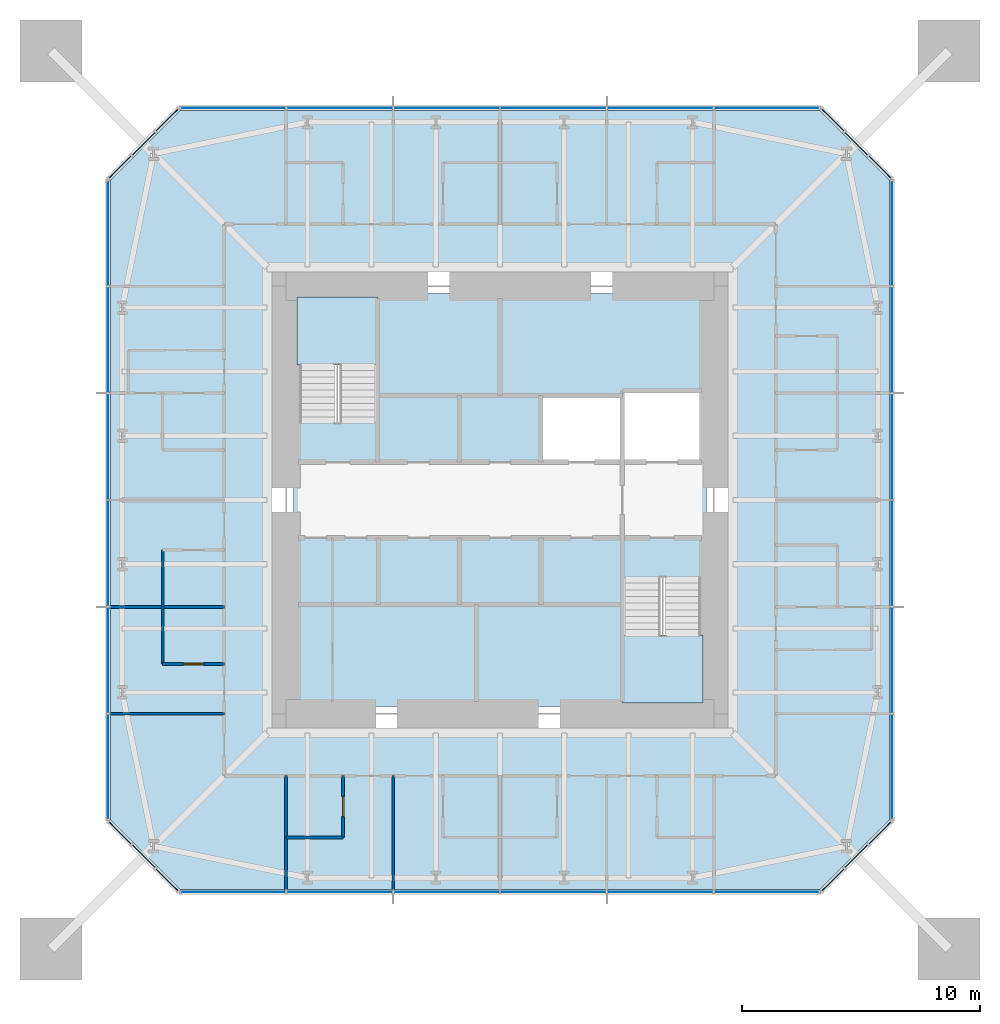
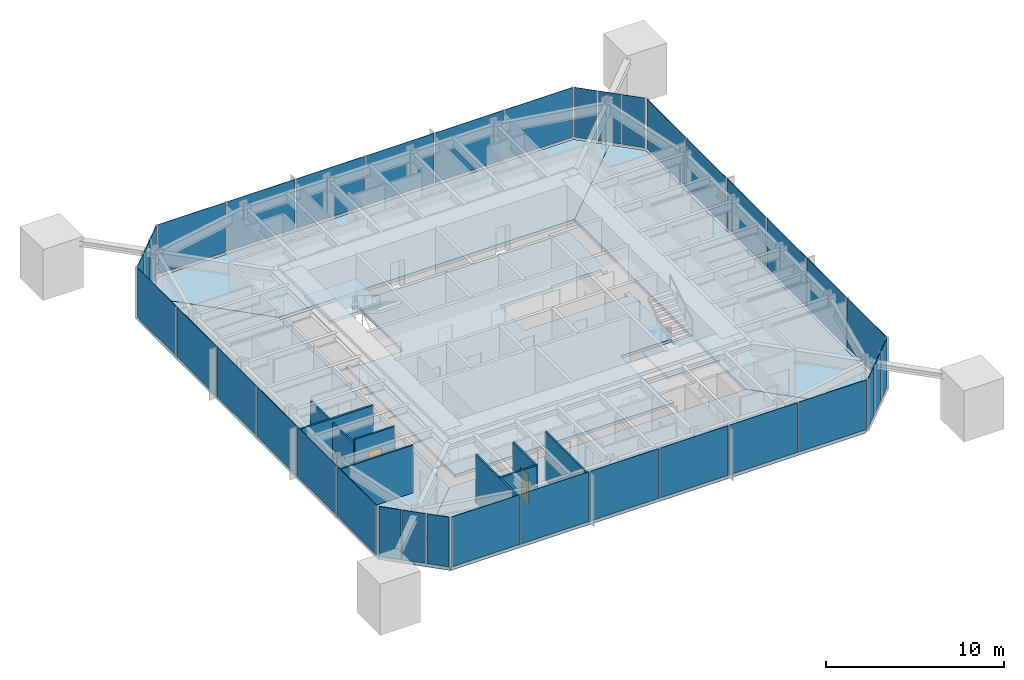
# One storey, part 5 of 10: 36 plates, 8 walls, 7 slabs, 2 doors, 2 openings, 10 elements without a shape of their own.
"""IFC4 building model written with IfcOpenShell, lengths in metres."""

from ifc_helpers import new_model, si_unit, direction, frame, frame_2d, origin, origin_2d, place, context, subcontext, project, spatial, polyline, rectangle, outline, extrude, material, layer, layer_set, constituent, constituent_set, type_object, element, fill, aggregate, save


model = new_model("IFC4")

# Units and contexts
model_context = context("Model", 3, precision=1e-05, world=origin(), true_north=direction((0.0, 1.0)))
body_context = subcontext(model_context, "Body", "Model", "MODEL_VIEW")
ifc_project = project(units=[si_unit("LENGTHUNIT", "METRE"), si_unit("AREAUNIT", "SQUARE_METRE"), si_unit("VOLUMEUNIT", "CUBIC_METRE"), si_unit("PLANEANGLEUNIT", "RADIAN"), si_unit("MASSUNIT", "GRAM", prefix="KILO")], contexts=[model_context])

# Site, building, storey
site_placement = place(None, origin())
site = spatial("IfcSite", under=ifc_project, at=site_placement, CompositionType="ELEMENT")
building_placement = place(site_placement, origin())
building = spatial("IfcBuilding", under=site, at=building_placement, Name="Iwan Alto Co-Living Towers", CompositionType="ELEMENT")
storey_placement = place(building_placement, frame((0.0, 0.0, 218.5)))
storey = spatial("IfcBuildingStorey", under=building, at=storey_placement, Name="L59", CompositionType="ELEMENT", Elevation=218.5)

# Slab
ifc_material_1 = material(Name="Concrete f'c 30 MPa", Category="concrete")
ifc_layer_1 = layer(ifc_material_1, 0.199951171875)
ifc_layer_set_1 = layer_set([ifc_layer_1], Name="CORE FLOOR SLAB 200")
slab_type_1 = type_object("IfcSlabType", Name="CORE FLOOR SLAB 200", PredefinedType="FLOOR", material=ifc_layer_set_1)
slab_1_placement = place(storey_placement, frame((0.0, 0.0, -0.199951171875)))
element("IfcSlab", 1, at=slab_1_placement, inside=storey, type_object=slab_type_1, Name="T1 core floor L59", PredefinedType="FLOOR", context=body_context, shape_type="SweptSolid", body=[
    extrude(outline(polyline([(-8.699951171875, 3.580078125), (-8.39990234375, 3.580078125), (-8.39990234375, 3.27001953125), (-5.14990234375, 3.27001953125), (-5.14990234375, 8.39990234375), (-5.4599609375, 8.39990234375), (-5.4599609375, 8.699951171875), (8.699951171875, 8.699951171875), (8.699951171875, 4.2900390625), (8.39990234375, 4.2900390625), (8.39990234375, 4.60009765625), (5.14990234375, 4.60009765625), (5.14990234375, 4.39990234375), (1.717041015625, 4.39990234375), (1.717041015625, 1.60009765625), (5.14990234375, 1.60009765625), (8.39990234375, 1.60009765625), (8.39990234375, 1.909912109375), (8.699951171875, 1.909912109375), (8.699951171875, -3.580078125), (8.39990234375, -3.580078125), (8.39990234375, -3.27001953125), (5.14990234375, -3.27001953125), (5.14990234375, -8.39990234375), (5.4599609375, -8.39990234375), (5.4599609375, -8.699951171875), (-8.699951171875, -8.699951171875), (-8.699951171875, 3.580078125)])), origin(), (0.0, 0.0, 1.0), 0.199951171875),
])

# Curtain wall, plates
ifc_material_2 = material(Name="Bronze aluminium unitised frame", Category="aluminium")
curtain_wall_type_1 = type_object("IfcCurtainWallType", Name="CURTAIN WALL CW-A", PredefinedType="NOTDEFINED", material=ifc_material_2)
curtain_wall_1_placement = place(storey_placement, origin())
curtain_wall_1 = element("IfcCurtainWall", 2, at=curtain_wall_1_placement, inside=storey, type_object=curtain_wall_type_1, Name="T1 curtain wall S L59", PredefinedType="NOTDEFINED")
ifc_material_3 = material(Name="Bronze-tinted insulating glass", Category="glass")
ifc_layer_2 = layer(ifc_material_3, 0.031982421875)
ifc_layer_set_2 = layer_set([ifc_layer_2], Name="CW-A PANEL TINTED IGU 32")
plate_type_1 = type_object("IfcPlateType", Name="CW-A PANEL TINTED IGU 32", PredefinedType="CURTAIN_PANEL", material=ifc_layer_set_2)
plate_1_placement = place(storey_placement, frame((-11.22998046875, -16.5, 0.10009765625), z_axis=(0.0, 0.0, 1.0), x_axis=(1.0, 0.0, 0.0)))
plate_1 = element("IfcPlate", 3, at=plate_1_placement, type_object=plate_type_1, Name="CW-A panel 1.1", PredefinedType="CURTAIN_PANEL", context=body_context, shape_type="SweptSolid", body=[
    extrude(rectangle(XDim=4.3798828125, YDim=0.031982421875, at=origin_2d()), origin(), (0.0, 0.0, 1.0), 3.39990234375),
])
plate_2_placement = place(storey_placement, frame((-6.75, -16.5, 0.10009765625), z_axis=(0.0, 0.0, 1.0), x_axis=(1.0, 0.0, 0.0)))
plate_2 = element("IfcPlate", 4, at=plate_2_placement, type_object=plate_type_1, Name="CW-A panel 2.1", PredefinedType="CURTAIN_PANEL", context=body_context, shape_type="SweptSolid", body=[
    extrude(rectangle(XDim=4.419921875, YDim=0.031982421875, at=origin_2d()), origin(), (0.0, 0.0, 1.0), 3.39990234375),
])
plate_3_placement = place(storey_placement, frame((-2.25, -16.5, 0.10009765625), z_axis=(0.0, 0.0, 1.0), x_axis=(1.0, 0.0, 0.0)))
plate_3 = element("IfcPlate", 5, at=plate_3_placement, type_object=plate_type_1, Name="CW-A panel 3.1", PredefinedType="CURTAIN_PANEL", context=body_context, shape_type="SweptSolid", body=[
    extrude(rectangle(XDim=4.419921875, YDim=0.031982421875, at=origin_2d()), origin(), (0.0, 0.0, 1.0), 3.39990234375),
])
plate_4_placement = place(storey_placement, frame((2.25, -16.5, 0.10009765625), z_axis=(0.0, 0.0, 1.0), x_axis=(1.0, 0.0, 0.0)))
plate_4 = element("IfcPlate", 6, at=plate_4_placement, type_object=plate_type_1, Name="CW-A panel 4.1", PredefinedType="CURTAIN_PANEL", context=body_context, shape_type="SweptSolid", body=[
    extrude(rectangle(XDim=4.419921875, YDim=0.031982421875, at=origin_2d()), origin(), (0.0, 0.0, 1.0), 3.39990234375),
])
plate_5_placement = place(storey_placement, frame((6.75, -16.5, 0.10009765625), z_axis=(0.0, 0.0, 1.0), x_axis=(1.0, 0.0, 0.0)))
plate_5 = element("IfcPlate", 7, at=plate_5_placement, type_object=plate_type_1, Name="CW-A panel 5.1", PredefinedType="CURTAIN_PANEL", context=body_context, shape_type="SweptSolid", body=[
    extrude(rectangle(XDim=4.419921875, YDim=0.031982421875, at=origin_2d()), origin(), (0.0, 0.0, 1.0), 3.39990234375),
])
plate_6_placement = place(storey_placement, frame((11.22998046875, -16.5, 0.10009765625), z_axis=(0.0, 0.0, 1.0), x_axis=(1.0, 0.0, 0.0)))
plate_6 = element("IfcPlate", 8, at=plate_6_placement, type_object=plate_type_1, Name="CW-A panel 6.1", PredefinedType="CURTAIN_PANEL", context=body_context, shape_type="SweptSolid", body=[
    extrude(rectangle(XDim=4.3798828125, YDim=0.031982421875, at=origin_2d()), origin(), (0.0, 0.0, 1.0), 3.39990234375),
])
aggregate(curtain_wall_1, [plate_1, plate_2, plate_3, plate_4, plate_5, plate_6])

curtain_wall_2_placement = place(storey_placement, origin())
curtain_wall_2 = element("IfcCurtainWall", 9, at=curtain_wall_2_placement, inside=storey, type_object=curtain_wall_type_1, Name="T1 curtain wall E L59", PredefinedType="NOTDEFINED")
plate_7_placement = place(storey_placement, frame((16.5, -11.22998046875, 0.10009765625), z_axis=(0.0, 0.0, 1.0), x_axis=(0.0, 1.0, 0.0)))
plate_7 = element("IfcPlate", 10, at=plate_7_placement, type_object=plate_type_1, Name="CW-A panel 1.1", PredefinedType="CURTAIN_PANEL", context=body_context, shape_type="SweptSolid", body=[
    extrude(rectangle(XDim=4.3798828125, YDim=0.031982421875, at=origin_2d()), origin(), (0.0, 0.0, 1.0), 3.39990234375),
])
plate_8_placement = place(storey_placement, frame((16.5, -6.75, 0.10009765625), z_axis=(0.0, 0.0, 1.0), x_axis=(0.0, 1.0, 0.0)))
plate_8 = element("IfcPlate", 11, at=plate_8_placement, type_object=plate_type_1, Name="CW-A panel 2.1", PredefinedType="CURTAIN_PANEL", context=body_context, shape_type="SweptSolid", body=[
    extrude(rectangle(XDim=4.419921875, YDim=0.031982421875, at=origin_2d()), origin(), (0.0, 0.0, 1.0), 3.39990234375),
])
plate_9_placement = place(storey_placement, frame((16.5, -2.25, 0.10009765625), z_axis=(0.0, 0.0, 1.0), x_axis=(0.0, 1.0, 0.0)))
plate_9 = element("IfcPlate", 12, at=plate_9_placement, type_object=plate_type_1, Name="CW-A panel 3.1", PredefinedType="CURTAIN_PANEL", context=body_context, shape_type="SweptSolid", body=[
    extrude(rectangle(XDim=4.419921875, YDim=0.031982421875, at=origin_2d()), origin(), (0.0, 0.0, 1.0), 3.39990234375),
])
plate_10_placement = place(storey_placement, frame((16.5, 2.25, 0.10009765625), z_axis=(0.0, 0.0, 1.0), x_axis=(0.0, 1.0, 0.0)))
plate_10 = element("IfcPlate", 13, at=plate_10_placement, type_object=plate_type_1, Name="CW-A panel 4.1", PredefinedType="CURTAIN_PANEL", context=body_context, shape_type="SweptSolid", body=[
    extrude(rectangle(XDim=4.419921875, YDim=0.031982421875, at=origin_2d()), origin(), (0.0, 0.0, 1.0), 3.39990234375),
])
plate_11_placement = place(storey_placement, frame((16.5, 6.75, 0.10009765625), z_axis=(0.0, 0.0, 1.0), x_axis=(0.0, 1.0, 0.0)))
plate_11 = element("IfcPlate", 14, at=plate_11_placement, type_object=plate_type_1, Name="CW-A panel 5.1", PredefinedType="CURTAIN_PANEL", context=body_context, shape_type="SweptSolid", body=[
    extrude(rectangle(XDim=4.419921875, YDim=0.031982421875, at=origin_2d()), origin(), (0.0, 0.0, 1.0), 3.39990234375),
])
plate_12_placement = place(storey_placement, frame((16.5, 11.22998046875, 0.10009765625), z_axis=(0.0, 0.0, 1.0), x_axis=(0.0, 1.0, 0.0)))
plate_12 = element("IfcPlate", 15, at=plate_12_placement, type_object=plate_type_1, Name="CW-A panel 6.1", PredefinedType="CURTAIN_PANEL", context=body_context, shape_type="SweptSolid", body=[
    extrude(rectangle(XDim=4.3798828125, YDim=0.031982421875, at=origin_2d()), origin(), (0.0, 0.0, 1.0), 3.39990234375),
])
aggregate(curtain_wall_2, [plate_7, plate_8, plate_9, plate_10, plate_11, plate_12])

curtain_wall_3_placement = place(storey_placement, origin())
curtain_wall_3 = element("IfcCurtainWall", 16, at=curtain_wall_3_placement, inside=storey, type_object=curtain_wall_type_1, Name="T1 curtain wall N L59", PredefinedType="NOTDEFINED")
plate_13_placement = place(storey_placement, frame((11.22998046875, 16.5, 0.10009765625), z_axis=(0.0, 0.0, 1.0), x_axis=(-1.0, 0.0, 0.0)))
plate_13 = element("IfcPlate", 17, at=plate_13_placement, type_object=plate_type_1, Name="CW-A panel 1.1", PredefinedType="CURTAIN_PANEL", context=body_context, shape_type="SweptSolid", body=[
    extrude(rectangle(XDim=4.3798828125, YDim=0.031982421875, at=origin_2d()), origin(), (0.0, 0.0, 1.0), 3.39990234375),
])
plate_14_placement = place(storey_placement, frame((6.75, 16.5, 0.10009765625), z_axis=(0.0, 0.0, 1.0), x_axis=(-1.0, 0.0, 0.0)))
plate_14 = element("IfcPlate", 18, at=plate_14_placement, type_object=plate_type_1, Name="CW-A panel 2.1", PredefinedType="CURTAIN_PANEL", context=body_context, shape_type="SweptSolid", body=[
    extrude(rectangle(XDim=4.419921875, YDim=0.031982421875, at=origin_2d()), origin(), (0.0, 0.0, 1.0), 3.39990234375),
])
plate_15_placement = place(storey_placement, frame((2.25, 16.5, 0.10009765625), z_axis=(0.0, 0.0, 1.0), x_axis=(-1.0, 0.0, 0.0)))
plate_15 = element("IfcPlate", 19, at=plate_15_placement, type_object=plate_type_1, Name="CW-A panel 3.1", PredefinedType="CURTAIN_PANEL", context=body_context, shape_type="SweptSolid", body=[
    extrude(rectangle(XDim=4.419921875, YDim=0.031982421875, at=origin_2d()), origin(), (0.0, 0.0, 1.0), 3.39990234375),
])
plate_16_placement = place(storey_placement, frame((-2.25, 16.5, 0.10009765625), z_axis=(0.0, 0.0, 1.0), x_axis=(-1.0, 0.0, 0.0)))
plate_16 = element("IfcPlate", 20, at=plate_16_placement, type_object=plate_type_1, Name="CW-A panel 4.1", PredefinedType="CURTAIN_PANEL", context=body_context, shape_type="SweptSolid", body=[
    extrude(rectangle(XDim=4.419921875, YDim=0.031982421875, at=origin_2d()), origin(), (0.0, 0.0, 1.0), 3.39990234375),
])
plate_17_placement = place(storey_placement, frame((-6.75, 16.5, 0.10009765625), z_axis=(0.0, 0.0, 1.0), x_axis=(-1.0, 0.0, 0.0)))
plate_17 = element("IfcPlate", 21, at=plate_17_placement, type_object=plate_type_1, Name="CW-A panel 5.1", PredefinedType="CURTAIN_PANEL", context=body_context, shape_type="SweptSolid", body=[
    extrude(rectangle(XDim=4.419921875, YDim=0.031982421875, at=origin_2d()), origin(), (0.0, 0.0, 1.0), 3.39990234375),
])
plate_18_placement = place(storey_placement, frame((-11.22998046875, 16.5, 0.10009765625), z_axis=(0.0, 0.0, 1.0), x_axis=(-1.0, 0.0, 0.0)))
plate_18 = element("IfcPlate", 22, at=plate_18_placement, type_object=plate_type_1, Name="CW-A panel 6.1", PredefinedType="CURTAIN_PANEL", context=body_context, shape_type="SweptSolid", body=[
    extrude(rectangle(XDim=4.3798828125, YDim=0.031982421875, at=origin_2d()), origin(), (0.0, 0.0, 1.0), 3.39990234375),
])
aggregate(curtain_wall_3, [plate_13, plate_14, plate_15, plate_16, plate_17, plate_18])

curtain_wall_4_placement = place(storey_placement, origin())
curtain_wall_4 = element("IfcCurtainWall", 23, at=curtain_wall_4_placement, inside=storey, type_object=curtain_wall_type_1, Name="T1 curtain wall W L59", PredefinedType="NOTDEFINED")
plate_19_placement = place(storey_placement, frame((-16.5, 11.22998046875, 0.10009765625), z_axis=(0.0, 0.0, 1.0), x_axis=(0.0, -1.0, 0.0)))
plate_19 = element("IfcPlate", 24, at=plate_19_placement, type_object=plate_type_1, Name="CW-A panel 1.1", PredefinedType="CURTAIN_PANEL", context=body_context, shape_type="SweptSolid", body=[
    extrude(rectangle(XDim=4.3798828125, YDim=0.031982421875, at=origin_2d()), origin(), (0.0, 0.0, 1.0), 3.39990234375),
])
plate_20_placement = place(storey_placement, frame((-16.5, 6.75, 0.10009765625), z_axis=(0.0, 0.0, 1.0), x_axis=(0.0, -1.0, 0.0)))
plate_20 = element("IfcPlate", 25, at=plate_20_placement, type_object=plate_type_1, Name="CW-A panel 2.1", PredefinedType="CURTAIN_PANEL", context=body_context, shape_type="SweptSolid", body=[
    extrude(rectangle(XDim=4.419921875, YDim=0.031982421875, at=origin_2d()), origin(), (0.0, 0.0, 1.0), 3.39990234375),
])
plate_21_placement = place(storey_placement, frame((-16.5, 2.25, 0.10009765625), z_axis=(0.0, 0.0, 1.0), x_axis=(0.0, -1.0, 0.0)))
plate_21 = element("IfcPlate", 26, at=plate_21_placement, type_object=plate_type_1, Name="CW-A panel 3.1", PredefinedType="CURTAIN_PANEL", context=body_context, shape_type="SweptSolid", body=[
    extrude(rectangle(XDim=4.419921875, YDim=0.031982421875, at=origin_2d()), origin(), (0.0, 0.0, 1.0), 3.39990234375),
])
plate_22_placement = place(storey_placement, frame((-16.5, -2.25, 0.10009765625), z_axis=(0.0, 0.0, 1.0), x_axis=(0.0, -1.0, 0.0)))
plate_22 = element("IfcPlate", 27, at=plate_22_placement, type_object=plate_type_1, Name="CW-A panel 4.1", PredefinedType="CURTAIN_PANEL", context=body_context, shape_type="SweptSolid", body=[
    extrude(rectangle(XDim=4.419921875, YDim=0.031982421875, at=origin_2d()), origin(), (0.0, 0.0, 1.0), 3.39990234375),
])
plate_23_placement = place(storey_placement, frame((-16.5, -6.75, 0.10009765625), z_axis=(0.0, 0.0, 1.0), x_axis=(0.0, -1.0, 0.0)))
plate_23 = element("IfcPlate", 28, at=plate_23_placement, type_object=plate_type_1, Name="CW-A panel 5.1", PredefinedType="CURTAIN_PANEL", context=body_context, shape_type="SweptSolid", body=[
    extrude(rectangle(XDim=4.419921875, YDim=0.031982421875, at=origin_2d()), origin(), (0.0, 0.0, 1.0), 3.39990234375),
])
plate_24_placement = place(storey_placement, frame((-16.5, -11.22998046875, 0.10009765625), z_axis=(0.0, 0.0, 1.0), x_axis=(0.0, -1.0, 0.0)))
plate_24 = element("IfcPlate", 29, at=plate_24_placement, type_object=plate_type_1, Name="CW-A panel 6.1", PredefinedType="CURTAIN_PANEL", context=body_context, shape_type="SweptSolid", body=[
    extrude(rectangle(XDim=4.3798828125, YDim=0.031982421875, at=origin_2d()), origin(), (0.0, 0.0, 1.0), 3.39990234375),
])
aggregate(curtain_wall_4, [plate_19, plate_20, plate_21, plate_22, plate_23, plate_24])

ifc_material_4 = material(Name="Bronze aluminium unitised frame", Category="aluminium")
curtain_wall_type_2 = type_object("IfcCurtainWallType", Name="CURTAIN WALL CW-B", PredefinedType="NOTDEFINED", material=ifc_material_4)
curtain_wall_5_placement = place(storey_placement, origin())
curtain_wall_5 = element("IfcCurtainWall", 30, at=curtain_wall_5_placement, inside=storey, type_object=curtain_wall_type_2, Name="T1 chamfer curtain wall SE L59", PredefinedType="NOTDEFINED")
ifc_material_5 = material(Name="Bronze-tinted insulating glass", Category="glass")
ifc_layer_3 = layer(ifc_material_5, 0.031982421875)
ifc_layer_set_3 = layer_set([ifc_layer_3], Name="CW-B PANEL TINTED IGU 32")
plate_type_2 = type_object("IfcPlateType", Name="CW-B PANEL TINTED IGU 32", PredefinedType="CURTAIN_PANEL", material=ifc_layer_set_3)
plate_25_placement = place(storey_placement, frame((14.01416015625, -15.98583984375, 0.10009765625), z_axis=(0.0, 0.0, 1.0), x_axis=(0.707106781187, 0.707106781187, 0.0)))
plate_25 = element("IfcPlate", 31, at=plate_25_placement, type_object=plate_type_2, Name="CW-B panel 1.1", PredefinedType="CURTAIN_PANEL", context=body_context, shape_type="SweptSolid", body=[
    extrude(rectangle(XDim=1.294189453125, YDim=0.031982421875, at=origin_2d()), origin(), (0.0, 0.0, 1.0), 3.39990234375),
])
plate_26_placement = place(storey_placement, frame((15.0, -15.0, 0.10009765625), z_axis=(0.0, 0.0, 1.0), x_axis=(0.707106781187, 0.707106781187, 0.0)))
plate_26 = element("IfcPlate", 32, at=plate_26_placement, type_object=plate_type_2, Name="CW-B panel 2.1", PredefinedType="CURTAIN_PANEL", context=body_context, shape_type="SweptSolid", body=[
    extrude(rectangle(XDim=1.334228515625, YDim=0.031982421875, at=origin_2d()), origin(), (0.0, 0.0, 1.0), 3.39990234375),
])
plate_27_placement = place(storey_placement, frame((15.98583984375, -14.01416015625, 0.10009765625), z_axis=(0.0, 0.0, 1.0), x_axis=(0.707106781187, 0.707106781187, 0.0)))
plate_27 = element("IfcPlate", 33, at=plate_27_placement, type_object=plate_type_2, Name="CW-B panel 3.1", PredefinedType="CURTAIN_PANEL", context=body_context, shape_type="SweptSolid", body=[
    extrude(rectangle(XDim=1.294189453125, YDim=0.031982421875, at=origin_2d()), origin(), (0.0, 0.0, 1.0), 3.39990234375),
])
aggregate(curtain_wall_5, [plate_25, plate_26, plate_27])

curtain_wall_6_placement = place(storey_placement, origin())
curtain_wall_6 = element("IfcCurtainWall", 34, at=curtain_wall_6_placement, inside=storey, type_object=curtain_wall_type_2, Name="T1 chamfer curtain wall NE L59", PredefinedType="NOTDEFINED")
plate_28_placement = place(storey_placement, frame((15.98583984375, 14.01416015625, 0.10009765625), z_axis=(0.0, 0.0, 1.0), x_axis=(-0.707106781187, 0.707106781187, 0.0)))
plate_28 = element("IfcPlate", 35, at=plate_28_placement, type_object=plate_type_2, Name="CW-B panel 1.1", PredefinedType="CURTAIN_PANEL", context=body_context, shape_type="SweptSolid", body=[
    extrude(rectangle(XDim=1.294189453125, YDim=0.031982421875, at=origin_2d()), origin(), (0.0, 0.0, 1.0), 3.39990234375),
])
plate_29_placement = place(storey_placement, frame((15.0, 15.0, 0.10009765625), z_axis=(0.0, 0.0, 1.0), x_axis=(-0.707106781187, 0.707106781187, 0.0)))
plate_29 = element("IfcPlate", 36, at=plate_29_placement, type_object=plate_type_2, Name="CW-B panel 2.1", PredefinedType="CURTAIN_PANEL", context=body_context, shape_type="SweptSolid", body=[
    extrude(rectangle(XDim=1.334228515625, YDim=0.031982421875, at=origin_2d()), origin(), (0.0, 0.0, 1.0), 3.39990234375),
])
plate_30_placement = place(storey_placement, frame((14.01416015625, 15.98583984375, 0.10009765625), z_axis=(0.0, 0.0, 1.0), x_axis=(-0.707106781187, 0.707106781187, 0.0)))
plate_30 = element("IfcPlate", 37, at=plate_30_placement, type_object=plate_type_2, Name="CW-B panel 3.1", PredefinedType="CURTAIN_PANEL", context=body_context, shape_type="SweptSolid", body=[
    extrude(rectangle(XDim=1.294189453125, YDim=0.031982421875, at=origin_2d()), origin(), (0.0, 0.0, 1.0), 3.39990234375),
])
aggregate(curtain_wall_6, [plate_28, plate_29, plate_30])

curtain_wall_7_placement = place(storey_placement, origin())
curtain_wall_7 = element("IfcCurtainWall", 38, at=curtain_wall_7_placement, inside=storey, type_object=curtain_wall_type_2, Name="T1 chamfer curtain wall NW L59", PredefinedType="NOTDEFINED")
plate_31_placement = place(storey_placement, frame((-14.01416015625, 15.98583984375, 0.10009765625), z_axis=(0.0, 0.0, 1.0), x_axis=(-0.707106781187, -0.707106781187, 0.0)))
plate_31 = element("IfcPlate", 39, at=plate_31_placement, type_object=plate_type_2, Name="CW-B panel 1.1", PredefinedType="CURTAIN_PANEL", context=body_context, shape_type="SweptSolid", body=[
    extrude(rectangle(XDim=1.294189453125, YDim=0.031982421875, at=origin_2d()), origin(), (0.0, 0.0, 1.0), 3.39990234375),
])
plate_32_placement = place(storey_placement, frame((-15.0, 15.0, 0.10009765625), z_axis=(0.0, 0.0, 1.0), x_axis=(-0.707106781187, -0.707106781187, 0.0)))
plate_32 = element("IfcPlate", 40, at=plate_32_placement, type_object=plate_type_2, Name="CW-B panel 2.1", PredefinedType="CURTAIN_PANEL", context=body_context, shape_type="SweptSolid", body=[
    extrude(rectangle(XDim=1.334228515625, YDim=0.031982421875, at=origin_2d()), origin(), (0.0, 0.0, 1.0), 3.39990234375),
])
plate_33_placement = place(storey_placement, frame((-15.98583984375, 14.01416015625, 0.10009765625), z_axis=(0.0, 0.0, 1.0), x_axis=(-0.707106781187, -0.707106781187, 0.0)))
plate_33 = element("IfcPlate", 41, at=plate_33_placement, type_object=plate_type_2, Name="CW-B panel 3.1", PredefinedType="CURTAIN_PANEL", context=body_context, shape_type="SweptSolid", body=[
    extrude(rectangle(XDim=1.294189453125, YDim=0.031982421875, at=origin_2d()), origin(), (0.0, 0.0, 1.0), 3.39990234375),
])
aggregate(curtain_wall_7, [plate_31, plate_32, plate_33])

curtain_wall_8_placement = place(storey_placement, origin())
curtain_wall_8 = element("IfcCurtainWall", 42, at=curtain_wall_8_placement, inside=storey, type_object=curtain_wall_type_2, Name="T1 chamfer curtain wall SW L59", PredefinedType="NOTDEFINED")
plate_34_placement = place(storey_placement, frame((-15.98583984375, -14.01416015625, 0.10009765625), z_axis=(0.0, 0.0, 1.0), x_axis=(0.707106781187, -0.707106781187, 0.0)))
plate_34 = element("IfcPlate", 43, at=plate_34_placement, type_object=plate_type_2, Name="CW-B panel 1.1", PredefinedType="CURTAIN_PANEL", context=body_context, shape_type="SweptSolid", body=[
    extrude(rectangle(XDim=1.294189453125, YDim=0.031982421875, at=origin_2d()), origin(), (0.0, 0.0, 1.0), 3.39990234375),
])
plate_35_placement = place(storey_placement, frame((-15.0, -15.0, 0.10009765625), z_axis=(0.0, 0.0, 1.0), x_axis=(0.707106781187, -0.707106781187, 0.0)))
plate_35 = element("IfcPlate", 44, at=plate_35_placement, type_object=plate_type_2, Name="CW-B panel 2.1", PredefinedType="CURTAIN_PANEL", context=body_context, shape_type="SweptSolid", body=[
    extrude(rectangle(XDim=1.334228515625, YDim=0.031982421875, at=origin_2d()), origin(), (0.0, 0.0, 1.0), 3.39990234375),
])
plate_36_placement = place(storey_placement, frame((-14.01416015625, -15.98583984375, 0.10009765625), z_axis=(0.0, 0.0, 1.0), x_axis=(0.707106781187, -0.707106781187, 0.0)))
plate_36 = element("IfcPlate", 45, at=plate_36_placement, type_object=plate_type_2, Name="CW-B panel 3.1", PredefinedType="CURTAIN_PANEL", context=body_context, shape_type="SweptSolid", body=[
    extrude(rectangle(XDim=1.294189453125, YDim=0.031982421875, at=origin_2d()), origin(), (0.0, 0.0, 1.0), 3.39990234375),
])
aggregate(curtain_wall_8, [plate_34, plate_35, plate_36])

# Stair, slab
ifc_material_6 = material(Name="Steel ASTM A36", Category="steel")
ifc_constituent_1 = constituent(ifc_material_6, Name="Stringers", Category="LoadBearing")
ifc_material_7 = material(Name="Concrete f'c 30 MPa", Category="concrete")
ifc_constituent_2 = constituent(ifc_material_7, Name="Tread fill", Category="Finish")
ifc_constituent_set = constituent_set(constituents=[ifc_constituent_1, ifc_constituent_2], Name="STAIR 3500 TWO-FLIGHT T1 CORE")
stair_type = type_object("IfcStairType", Name="STAIR 3500 TWO-FLIGHT T1 CORE", PredefinedType="HALF_TURN_STAIR", material=ifc_constituent_set)
stair_1_placement = place(storey_placement, origin())
stair_1 = element("IfcStair", 46, at=stair_1_placement, inside=storey, type_object=stair_type, Name="Stair T1-S1 L59 to L60", PredefinedType="HALF_TURN_STAIR")
ifc_material_8 = material(Name="Concrete f'c 30 MPa", Category="concrete")
ifc_layer_4 = layer(ifc_material_8, 0.199951171875)
ifc_layer_set_4 = layer_set([ifc_layer_4], Name="STAIR LANDING 200")
slab_type_2 = type_object("IfcSlabType", Name="STAIR LANDING 200", PredefinedType="LANDING", material=ifc_layer_set_4)
slab_2_placement = place(storey_placement, frame((0.0, 0.0, 1.550048828125)))
slab_2 = element("IfcSlab", 47, at=slab_2_placement, type_object=slab_type_2, Name="T1-S1 landing 1", PredefinedType="LANDING", context=body_context, shape_type="SweptSolid", body=[
    extrude(outline(polyline([(-8.550048828125, 5.68994140625), (-8.550048828125, 8.550048828125), (-5.14990234375, 8.550048828125), (-5.14990234375, 5.68994140625), (-8.550048828125, 5.68994140625)])), origin(), (0.0, 0.0, 1.0), 0.199951171875),
])
aggregate(stair_1, [slab_2])

stair_2_placement = place(storey_placement, origin())
stair_2 = element("IfcStair", 48, at=stair_2_placement, inside=storey, type_object=stair_type, Name="Stair T1-S2 L59 to L60", PredefinedType="HALF_TURN_STAIR")
slab_3_placement = place(storey_placement, frame((0.0, 0.0, 1.550048828125)))
slab_3 = element("IfcSlab", 49, at=slab_3_placement, type_object=slab_type_2, Name="T1-S2 landing 1", PredefinedType="LANDING", context=body_context, shape_type="SweptSolid", body=[
    extrude(outline(polyline([(5.14990234375, -5.68994140625), (5.14990234375, -8.550048828125), (8.550048828125, -8.550048828125), (8.550048828125, -5.68994140625), (5.14990234375, -5.68994140625)])), origin(), (0.0, 0.0, 1.0), 0.199951171875),
])
aggregate(stair_2, [slab_3])

# Slabs
ifc_material_9 = material(Name="Concrete f'c 30 MPa", Category="concrete")
ifc_layer_5 = layer(ifc_material_9, 0.22998046875)
ifc_layer_set_5 = layer_set([ifc_layer_5], Name="T1 FLOOR SLAB 230")
slab_type_3 = type_object("IfcSlabType", Name="T1 FLOOR SLAB 230", PredefinedType="FLOOR", material=ifc_layer_set_5)
slab_4_placement = place(storey_placement, frame((0.0, 0.0, -0.22998046875)))
element("IfcSlab", 50, at=slab_4_placement, inside=storey, type_object=slab_type_3, Name="T1 floor slab L59 S pour", PredefinedType="FLOOR", context=body_context, shape_type="SweptSolid", body=[
    extrude(outline(polyline([(13.44140625, -16.39990234375), (-13.44140625, -16.39990234375), (-14.920654296875, -14.920654296875), (-9.60009765625, -9.60009765625), (9.60009765625, -9.60009765625), (14.920654296875, -14.920654296875), (13.44140625, -16.39990234375)])), origin(), (0.0, 0.0, 1.0), 0.22998046875),
])
slab_5_placement = place(storey_placement, frame((0.0, 0.0, -0.22998046875)))
element("IfcSlab", 51, at=slab_5_placement, inside=storey, type_object=slab_type_3, Name="T1 floor slab L59 E pour", PredefinedType="FLOOR", context=body_context, shape_type="SweptSolid", body=[
    extrude(outline(polyline([(16.39990234375, 13.44140625), (16.39990234375, -13.44140625), (14.920654296875, -14.920654296875), (9.60009765625, -9.60009765625), (9.60009765625, 9.60009765625), (14.920654296875, 14.920654296875), (16.39990234375, 13.44140625)])), origin(), (0.0, 0.0, 1.0), 0.22998046875),
])
slab_6_placement = place(storey_placement, frame((0.0, 0.0, -0.22998046875)))
element("IfcSlab", 52, at=slab_6_placement, inside=storey, type_object=slab_type_3, Name="T1 floor slab L59 N pour", PredefinedType="FLOOR", context=body_context, shape_type="SweptSolid", body=[
    extrude(outline(polyline([(-13.44140625, 16.39990234375), (13.44140625, 16.39990234375), (14.920654296875, 14.920654296875), (9.60009765625, 9.60009765625), (-9.60009765625, 9.60009765625), (-14.920654296875, 14.920654296875), (-13.44140625, 16.39990234375)])), origin(), (0.0, 0.0, 1.0), 0.22998046875),
])
slab_7_placement = place(storey_placement, frame((0.0, 0.0, -0.22998046875)))
element("IfcSlab", 53, at=slab_7_placement, inside=storey, type_object=slab_type_3, Name="T1 floor slab L59 W pour", PredefinedType="FLOOR", context=body_context, shape_type="SweptSolid", body=[
    extrude(outline(polyline([(-16.39990234375, 13.44140625), (-14.920654296875, 14.920654296875), (-9.60009765625, 9.60009765625), (-9.60009765625, -9.60009765625), (-14.920654296875, -14.920654296875), (-16.39990234375, -13.44140625), (-16.39990234375, 13.44140625)])), origin(), (0.0, 0.0, 1.0), 0.22998046875),
])

# Walls
ifc_material_10 = material(Name="Gypsum board")
ifc_layer_6 = layer(ifc_material_10, 0.012451171875, Name="Board", Category="Finish")
ifc_material_11 = material(Name="Steel ASTM A1003 ST33H cold-formed studs", Category="steel")
ifc_layer_7 = layer(ifc_material_11, 0.074951171875, Name="Studs", Category="Framing")
ifc_layer_8 = layer(ifc_material_10, 0.012451171875, Name="Board", Category="Finish")
ifc_layer_set_6 = layer_set([ifc_layer_6, ifc_layer_7, ifc_layer_8], Name="PARTITION 100")
wall_type_1 = type_object("IfcWallType", Name="PARTITION 100", PredefinedType="PARTITIONING", material=ifc_layer_set_6)
for number, where, z_axis, x_axis, name in (
    (54, (-16.43994140625, -9.0, 0.0), (0.0, 0.0, 1.0), (1.0, 0.0, 0.0), "Partition L59"),
    (55, (-4.5, -16.43994140625, 0.0), (0.0, 0.0, 1.0), (0.0, 1.0, 0.0), "Partition L59"),
):
    element("IfcWall", number, at=place(storey_placement, frame(where, z_axis=z_axis, x_axis=x_axis)), inside=storey, type_object=wall_type_1, Name=name, PredefinedType="PARTITIONING", context=body_context, shape_type="SweptSolid", body=[
        extrude(rectangle(XDim=4.83984375, YDim=0.10009765625, at=frame_2d((2.419921875, 0.0))), origin(), (0.0, 0.0, 1.0), 3.27001953125),
    ])
wall_1_placement = place(storey_placement, frame((-14.199951171875, -6.89990234375, 0.0), z_axis=(0.0, 0.0, 1.0), x_axis=(0.0, 1.0, 0.0)))
element("IfcWall", 56, at=wall_1_placement, inside=storey, type_object=wall_type_1, Name="Partition L59", PredefinedType="PARTITIONING", context=body_context, shape_type="SweptSolid", body=[
    extrude(rectangle(XDim=4.7998046875, YDim=0.10009765625, at=frame_2d((2.39990234375, 0.0))), origin(), (0.0, 0.0, 1.0), 3.0),
])
ifc_material_12 = material(Name="Cement board")
ifc_layer_9 = layer(ifc_material_12, 0.012451171875, Name="Board", Category="Finish")
ifc_layer_10 = layer(ifc_material_11, 0.094970703125, Name="Studs", Category="Framing")
ifc_layer_11 = layer(ifc_material_12, 0.012451171875, Name="Board", Category="Finish")
ifc_layer_set_7 = layer_set([ifc_layer_9, ifc_layer_10, ifc_layer_11], Name="WET AREA PARTITION 120")
wall_type_2 = type_object("IfcWallType", Name="WET AREA PARTITION 120", PredefinedType="PARTITIONING", material=ifc_layer_set_7)
wall_2_placement = place(storey_placement, frame((-9.0, -14.199951171875, 0.0), z_axis=(0.0, 0.0, 1.0), x_axis=(1.0, 0.0, 0.0)))
element("IfcWall", 57, at=wall_2_placement, inside=storey, type_object=wall_type_2, Name="Partition L59", PredefinedType="PARTITIONING", context=body_context, shape_type="SweptSolid", body=[
    extrude(rectangle(XDim=2.39990234375, YDim=0.1201171875, at=frame_2d((1.199951171875, 0.0))), origin(), (0.0, 0.0, 1.0), 3.27001953125),
])

# Wall, opening, door
wall_3_placement = place(storey_placement, frame((-14.199951171875, -6.89990234375, 0.0), z_axis=(0.0, 0.0, 1.0), x_axis=(1.0, 0.0, 0.0)))
wall_3 = element("IfcWall", 58, at=wall_3_placement, inside=storey, type_object=wall_type_2, Name="Partition L59", PredefinedType="PARTITIONING", context=body_context, shape_type="SweptSolid", body=[
    extrude(rectangle(XDim=2.599853515625, YDim=0.1201171875, at=frame_2d((1.2998046875, 0.0))), origin(), (0.0, 0.0, 1.0), 3.27001953125),
])
opening_1_placement = place(wall_3_placement, frame((0.875, 0.0, 0.0)))
opening_1 = element("IfcOpeningElement", 59, at=opening_1_placement, cuts=wall_3, Name="Opening D2", PredefinedType="OPENING", context=body_context, shape_type="SweptSolid", body=[
    extrude(rectangle(XDim=0.85009765625, YDim=2.10009765625, at=frame_2d((0.425048828125, 1.050048828125))), frame((0.0, 0.070068359375, 0.0), z_axis=(0.0, -1.0, 0.0), x_axis=(1.0, 0.0, 0.0)), (0.0, 0.0, 1.0), 0.14013671875),
])
ifc_material_13 = material(Name="Timber leaf in steel frame", Category="steel")
door_type = type_object("IfcDoorType", Name="ROOM DOOR 850X2100", OperationType="SINGLE_SWING_LEFT", PredefinedType="DOOR", material=ifc_material_13)
door_1_placement = place(opening_1_placement, frame((0.85009765625, 0.0, 0.0), z_axis=(0.0, 0.0, 1.0), x_axis=(-1.0, 0.0, 0.0)))
door_1 = element("IfcDoor", 60, at=door_1_placement, inside=storey, type_object=door_type, Name="En-suite shower room door L59", OperationType="SINGLE_SWING_LEFT", OverallHeight=2.10009765625, OverallWidth=0.85009765625, PredefinedType="DOOR", context=body_context, shape_type="SweptSolid", body=[
    extrude(rectangle(XDim=0.85009765625, YDim=2.10009765625, at=frame_2d((0.425048828125, 1.050048828125))), frame((0.0, 0.02490234375, 0.0), z_axis=(0.0, -1.0, 0.0), x_axis=(1.0, 0.0, 0.0)), (0.0, 0.0, 1.0), 0.050048828125),
])
fill(opening_1, door_1)

# Wall
wall_4_placement = place(storey_placement, frame((-16.43994140625, -4.5, 0.0), z_axis=(0.0, 0.0, 1.0), x_axis=(1.0, 0.0, 0.0)))
element("IfcWall", 61, at=wall_4_placement, inside=storey, type_object=wall_type_2, Name="Partition L59", PredefinedType="PARTITIONING", context=body_context, shape_type="SweptSolid", body=[
    extrude(rectangle(XDim=4.83984375, YDim=0.1201171875, at=frame_2d((2.419921875, 0.0))), origin(), (0.0, 0.0, 1.0), 3.27001953125),
])

# Wall, opening, door
wall_5_placement = place(storey_placement, frame((-6.60009765625, -14.199951171875, 0.0), z_axis=(0.0, 0.0, 1.0), x_axis=(0.0, 1.0, 0.0)))
wall_5 = element("IfcWall", 62, at=wall_5_placement, inside=storey, type_object=wall_type_2, Name="Partition L59", PredefinedType="PARTITIONING", context=body_context, shape_type="SweptSolid", body=[
    extrude(rectangle(XDim=2.599853515625, YDim=0.1201171875, at=frame_2d((1.2998046875, 0.0))), origin(), (0.0, 0.0, 1.0), 3.27001953125),
])
opening_2_placement = place(wall_5_placement, frame((0.875, 0.0, 0.0)))
opening_2 = element("IfcOpeningElement", 63, at=opening_2_placement, cuts=wall_5, Name="Opening D2", PredefinedType="OPENING", context=body_context, shape_type="SweptSolid", body=[
    extrude(rectangle(XDim=0.85009765625, YDim=2.10009765625, at=frame_2d((0.425048828125, 1.050048828125))), frame((0.0, 0.070068359375, 0.0), z_axis=(0.0, -1.0, 0.0), x_axis=(1.0, 0.0, 0.0)), (0.0, 0.0, 1.0), 0.14013671875),
])
door_2_placement = place(opening_2_placement, frame((0.85009765625, 0.0, 0.0), z_axis=(0.0, 0.0, 1.0), x_axis=(-1.0, 0.0, 0.0)))
door_2 = element("IfcDoor", 64, at=door_2_placement, inside=storey, type_object=door_type, Name="En-suite shower room door L59", OperationType="SINGLE_SWING_LEFT", OverallHeight=2.10009765625, OverallWidth=0.85009765625, PredefinedType="DOOR", context=body_context, shape_type="SweptSolid", body=[
    extrude(rectangle(XDim=0.85009765625, YDim=2.10009765625, at=frame_2d((0.425048828125, 1.050048828125))), frame((0.0, 0.02490234375, 0.0), z_axis=(0.0, -1.0, 0.0), x_axis=(1.0, 0.0, 0.0)), (0.0, 0.0, 1.0), 0.050048828125),
])
fill(opening_2, door_2)

# Wall
wall_6_placement = place(storey_placement, frame((-9.0, -16.43994140625, 0.0), z_axis=(0.0, 0.0, 1.0), x_axis=(0.0, 1.0, 0.0)))
element("IfcWall", 65, at=wall_6_placement, inside=storey, type_object=wall_type_2, Name="Partition L59", PredefinedType="PARTITIONING", context=body_context, shape_type="SweptSolid", body=[
    extrude(rectangle(XDim=4.83984375, YDim=0.1201171875, at=frame_2d((2.419921875, 0.0))), origin(), (0.0, 0.0, 1.0), 3.27001953125),
])

save(model, "model.ifc")
